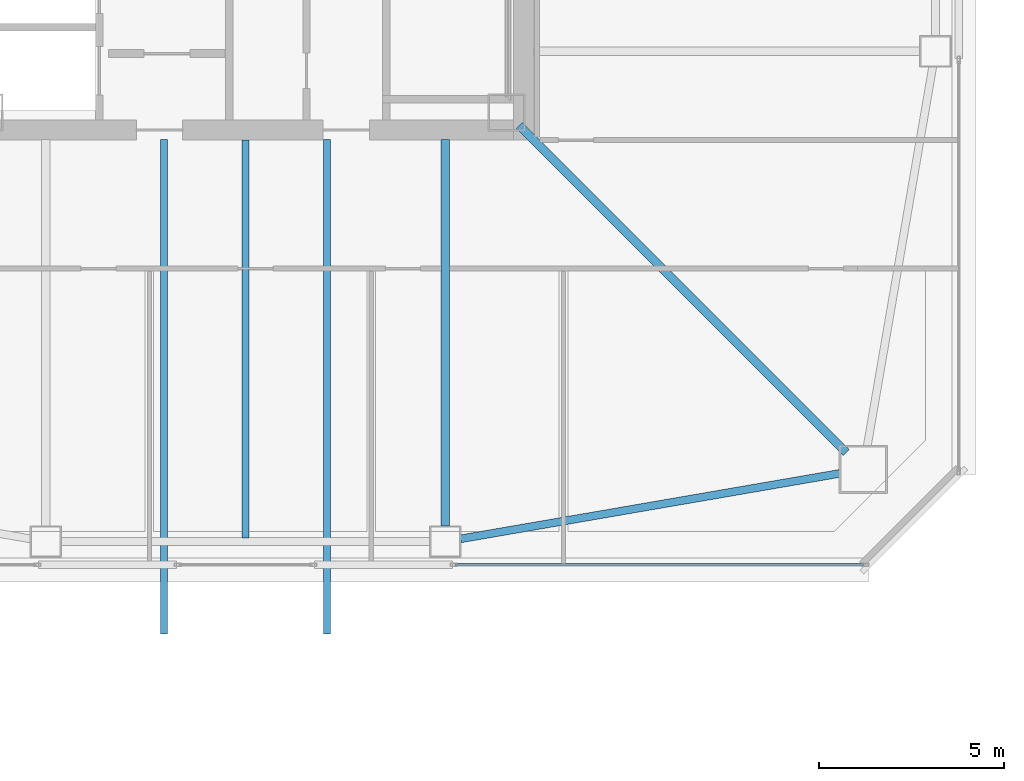
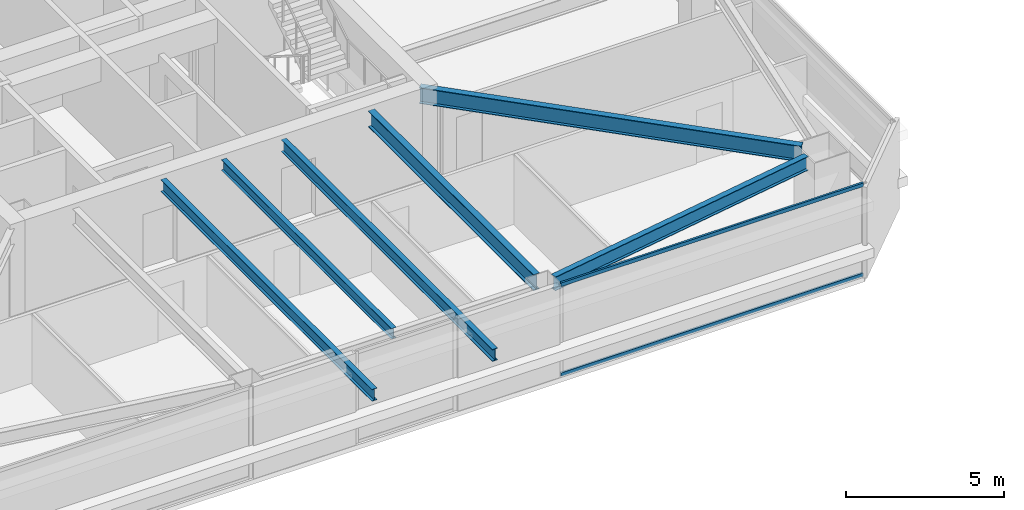
# One storey, part 6 of 42: 6 beams, 2 members, 1 element without a shape of its own.
"""IFC4 building model written with IfcOpenShell, lengths in metres."""

from ifc_helpers import new_model, si_unit, direction, frame, origin, origin_2d, place, context, subcontext, project, spatial, hollow_rectangle, i_section, extrude, material, material_profile, profile_set, type_object, element, aggregate, save


model = new_model("IFC4")

# Units and contexts
model_context = context("Model", 3, precision=1e-05, world=origin(), true_north=direction((0.0, 1.0)))
body_context = subcontext(model_context, "Body", "Model", "MODEL_VIEW")
ifc_project = project(units=[si_unit("LENGTHUNIT", "METRE"), si_unit("AREAUNIT", "SQUARE_METRE"), si_unit("VOLUMEUNIT", "CUBIC_METRE"), si_unit("PLANEANGLEUNIT", "RADIAN"), si_unit("MASSUNIT", "GRAM", prefix="KILO")], contexts=[model_context])

# Site, building, storey
site_placement = place(None, origin())
site = spatial("IfcSite", under=ifc_project, at=site_placement, CompositionType="ELEMENT")
building_placement = place(site_placement, origin())
building = spatial("IfcBuilding", under=site, at=building_placement, Name="Tashvorn Skyway Center", CompositionType="ELEMENT")
storey_placement = place(building_placement, frame((0.0, 0.0, 121.5)))
storey = spatial("IfcBuildingStorey", under=building, at=storey_placement, Name="L32", CompositionType="ELEMENT", Elevation=121.5)

# Beams
ifc_material_1 = material(Name="Steel ASTM A992 Grade 50", Category="steel")
ifc_material_profile_1 = material_profile(ifc_material_1, i_section(OverallWidth=0.22998046875, OverallDepth=0.616943359375, WebThickness=0.01318359375, FlangeThickness=0.022216796875, at=origin_2d()), Name="W24X94")
ifc_profile_set_1 = profile_set([ifc_material_profile_1], Name="Steel ASTM A992 Grade 50")
beam_type_1 = type_object("IfcBeamType", Name="BM-BEAM-W24X94", PredefinedType="BEAM", material=ifc_profile_set_1)
beam_1_placement = place(storey_placement, frame((58.243896484375, 15.756103515625, 3.0615234375), z_axis=(-0.707106781187, 0.707106781187, 0.0), x_axis=(-0.707106781187, -0.707106781187, 0.0)))
element("IfcBeam", 1, at=beam_1_placement, inside=storey, type_object=beam_type_1, Name="Tower 1 L32 Primary Floor Girder MC-SE", PredefinedType="BEAM", context=body_context, shape_type="SweptSolid", body=[
    extrude(i_section(OverallWidth=0.22998046875, OverallDepth=0.616943359375, WebThickness=0.01318359375, FlangeThickness=0.022216796875, at=origin_2d()), origin(), (0.0, 0.0, 1.0), 12.50732421875),
])
beam_2_placement = place(storey_placement, frame((47.39990234375, 13.77001953125, 3.0615234375), z_axis=(0.0, 1.0, 0.0), x_axis=(-1.0, 0.0, 0.0)))
element("IfcBeam", 2, at=beam_2_placement, inside=storey, type_object=beam_type_1, Name="Tower 1 L32 Primary Floor Girder FC-S2", PredefinedType="BEAM", context=body_context, shape_type="SweptSolid", body=[
    extrude(i_section(OverallWidth=0.22998046875, OverallDepth=0.616943359375, WebThickness=0.01318359375, FlangeThickness=0.022216796875, at=origin_2d()), origin(), (0.0, 0.0, 1.0), 10.449951171875),
])
ifc_material_profile_2 = material_profile(ifc_material_1, i_section(OverallWidth=0.177978515625, OverallDepth=0.406005859375, WebThickness=0.0078125, FlangeThickness=0.0126953125, at=origin_2d()), Name="W16X40")
ifc_profile_set_2 = profile_set([ifc_material_profile_2], Name="Steel ASTM A992 Grade 50")
beam_type_2 = type_object("IfcBeamType", Name="BM-JOIST-W16X40", PredefinedType="JOIST", material=ifc_profile_set_2)
beam_3_placement = place(storey_placement, frame((42.0, 24.2099609375, 3.1669921875), z_axis=(0.0, -1.0, 0.0), x_axis=(1.0, 0.0, 0.0)))
element("IfcBeam", 3, at=beam_3_placement, inside=storey, type_object=beam_type_2, Name="Tower 1 L32 Secondary Composite Joist JS", PredefinedType="JOIST", context=body_context, shape_type="SweptSolid", body=[
    extrude(i_section(OverallWidth=0.177978515625, OverallDepth=0.406005859375, WebThickness=0.0078125, FlangeThickness=0.0126953125, at=origin_2d()), origin(), (0.0, 0.0, 1.0), 10.762451171875),
])
ifc_material_profile_3 = material_profile(ifc_material_1, i_section(OverallWidth=0.19091796875, OverallDepth=0.4599609375, WebThickness=0.010009765625, FlangeThickness=0.01611328125, at=origin_2d()), Name="W18X55")
ifc_profile_set_3 = profile_set([ifc_material_profile_3], Name="Steel ASTM A992 Grade 50")
beam_type_3 = type_object("IfcBeamType", Name="BM-JOIST-W18X55", PredefinedType="JOIST", material=ifc_profile_set_3)
for number, where, z_axis, x_axis, name in (
    (4, (39.800048828125, 24.219970703125, 3.139892578125), (0.0, -1.0, 0.0), (1.0, 0.0, 0.0), "Tower 1 L33 Terrace Cantilever Outlooker 1"),
    (5, (44.199951171875, 24.219970703125, 3.139892578125), (0.0, -1.0, 0.0), (1.0, 0.0, 0.0), "Tower 1 L33 Terrace Cantilever Outlooker 2"),
):
    element("IfcBeam", number, at=place(storey_placement, frame(where, z_axis=z_axis, x_axis=x_axis)), inside=storey, type_object=beam_type_3, Name=name, PredefinedType="JOIST", context=body_context, shape_type="SweptSolid", body=[
        extrude(i_section(OverallWidth=0.19091796875, OverallDepth=0.4599609375, WebThickness=0.010009765625, FlangeThickness=0.01611328125, at=origin_2d()), origin(), (0.0, 0.0, 1.0), 13.369873046875),
    ])
ifc_material_profile_4 = material_profile(ifc_material_1, i_section(OverallWidth=0.2109375, OverallDepth=0.5390625, WebThickness=0.01171875, FlangeThickness=0.018798828125, at=origin_2d()), Name="W21X73")
ifc_profile_set_4 = profile_set([ifc_material_profile_4], Name="Steel ASTM A992 Grade 50")
beam_type_4 = type_object("IfcBeamType", Name="BM-SPANDREL-W21X73", PredefinedType="SPANDREL", material=ifc_profile_set_4)
beam_4_placement = place(storey_placement, frame((47.81396484375, 13.42138671875, 3.1005859375), z_axis=(0.985432458462, 0.170067250846, 0.0), x_axis=(-0.170067250846, 0.985432458462, 0.0)))
element("IfcBeam", 6, at=beam_4_placement, inside=storey, type_object=beam_type_4, Name="Tower 1 L32 Spandrel Beam 03", PredefinedType="SPANDREL", context=body_context, shape_type="SweptSolid", body=[
    extrude(i_section(OverallWidth=0.2109375, OverallDepth=0.5390625, WebThickness=0.01171875, FlangeThickness=0.018798828125, at=origin_2d()), origin(), (0.0, 0.0, 1.0), 10.402099609375),
])

# Curtain wall, members
ifc_material_2 = material(Name="Thermally broken bronze-anodized aluminium 6063-T6", Category="aluminium")
curtain_wall_type = type_object("IfcCurtainWallType", Name="CW-CW-Z3", PredefinedType="NOTDEFINED", material=ifc_material_2)
curtain_wall_placement = place(storey_placement, origin())
curtain_wall = element("IfcCurtainWall", 7, at=curtain_wall_placement, inside=storey, type_object=curtain_wall_type, Name="Tower 1 L32 South Unitised Curtain Wall Glazing Group 1", PredefinedType="NOTDEFINED")
ifc_material_profile_5 = material_profile(ifc_material_2, hollow_rectangle(XDim=0.074951171875, YDim=0.139892578125, WallThickness=0.004150390625, at=origin_2d()), Name="ALU-TRAN-75x140")
ifc_profile_set_5 = profile_set([ifc_material_profile_5], Name="Thermally broken bronze-anodized aluminium 6063-T6")
member_type = type_object("IfcMemberType", Name="CWT-CW-Z3", PredefinedType="USERDEFINED", material=ifc_profile_set_5)
member_1_placement = place(storey_placement, frame((58.705078125, 12.719970703125, 0.03759765625), z_axis=(-1.0, 0.0, 0.0), x_axis=(0.0, -1.0, 0.0)))
member_1 = element("IfcMember", 8, at=member_1_placement, type_object=member_type, Name="CW-Z3 transom 1.1", ObjectType="TRANSOM", PredefinedType="USERDEFINED", context=body_context, shape_type="SweptSolid", body=[
    extrude(hollow_rectangle(XDim=0.074951171875, YDim=0.139892578125, WallThickness=0.004150390625, at=origin_2d()), origin(), (0.0, 0.0, 1.0), 11.036865234375),
])
member_2_placement = place(storey_placement, frame((58.705078125, 12.719970703125, 3.512451171875), z_axis=(-1.0, 0.0, 0.0), x_axis=(0.0, -1.0, 0.0)))
member_2 = element("IfcMember", 9, at=member_2_placement, type_object=member_type, Name="CW-Z3 transom 1.2", ObjectType="TRANSOM", PredefinedType="USERDEFINED", context=body_context, shape_type="SweptSolid", body=[
    extrude(hollow_rectangle(XDim=0.074951171875, YDim=0.139892578125, WallThickness=0.004150390625, at=origin_2d()), origin(), (0.0, 0.0, 1.0), 11.036865234375),
])
aggregate(curtain_wall, [member_1, member_2])

save(model, "model.ifc")
